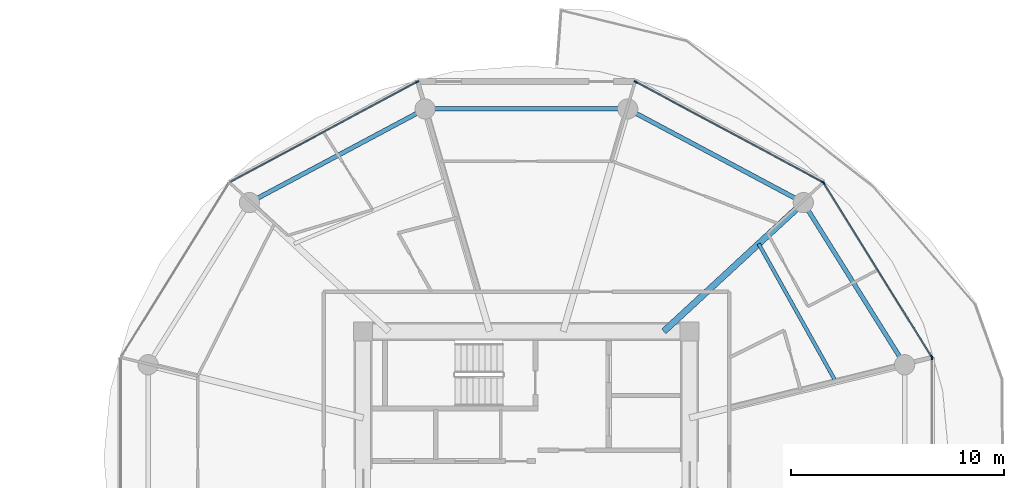
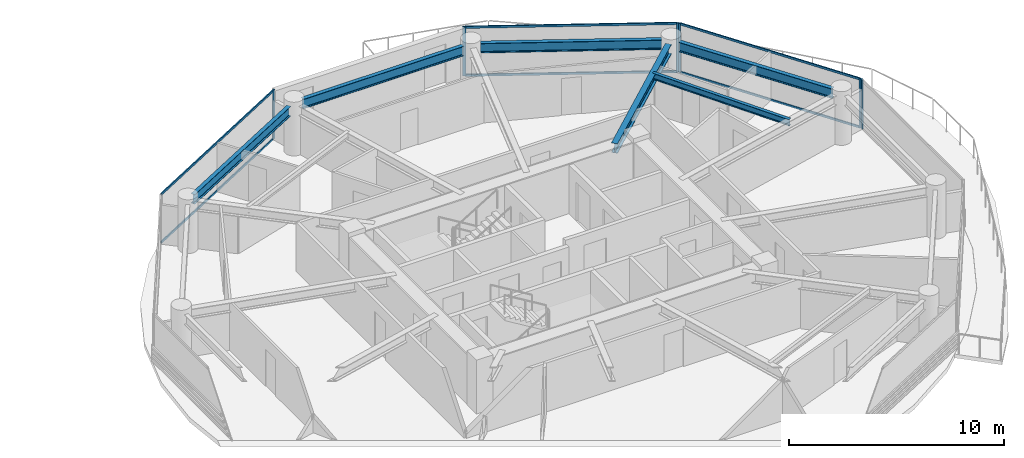
# One storey, part 14 of 28: 12 members, 6 beams, 4 elements without a shape of their own.
"""IFC4 building model written with IfcOpenShell, lengths in metres."""

from ifc_helpers import new_model, si_unit, direction, frame, origin, origin_2d, place, context, subcontext, project, spatial, rectangle, i_section, extrude, source, transform, mapped, material, layer, layer_set, material_profile, profile_set, type_object, type_shapes, element, aggregate, save


model = new_model("IFC4")

# Units and contexts
model_context = context("Model", 3, precision=1e-05, world=origin(), true_north=direction((0.0, 1.0)))
body_context = subcontext(model_context, "Body", "Model", "MODEL_VIEW")
ifc_project = project(units=[si_unit("LENGTHUNIT", "METRE"), si_unit("AREAUNIT", "SQUARE_METRE"), si_unit("VOLUMEUNIT", "CUBIC_METRE"), si_unit("PLANEANGLEUNIT", "RADIAN"), si_unit("MASSUNIT", "GRAM", prefix="KILO")], contexts=[model_context])

# Site, building, storey
site_placement = place(None, origin())
site = spatial("IfcSite", under=ifc_project, at=site_placement, CompositionType="ELEMENT")
building_placement = place(site_placement, origin())
building = spatial("IfcBuilding", under=site, at=building_placement, Name="Norrkilde Senior Care Towers", CompositionType="ELEMENT")
storey_placement = place(building_placement, frame((0.0, 0.0, 39.89990234375)))
storey = spatial("IfcBuildingStorey", under=building, at=storey_placement, Name="L11", CompositionType="ELEMENT", Elevation=39.89990234375)

# Beams
ifc_material_1 = material(Name="Steel S355", Category="steel")
ifc_material_profile_1 = material_profile(ifc_material_1, i_section(OverallWidth=0.2099609375, OverallDepth=0.550048828125, WebThickness=0.010986328125, FlangeThickness=0.01708984375, FilletRadius=0.02392578125, at=origin_2d()), Name="IPE 550")
ifc_profile_set_1 = profile_set([ifc_material_profile_1], Name="Steel S355")
beam_type_1 = type_object("IfcBeamType", Name="Perimeter Ring Spandrel Z1 IPE550", PredefinedType="SPANDREL", material=ifc_profile_set_1)
shared_shape_1 = source(origin(), body_context, "Body", "SweptSolid", [
    extrude(i_section(OverallWidth=0.2099609375, OverallDepth=0.550048828125, WebThickness=0.010986328125, FlangeThickness=0.01708984375, FilletRadius=0.02392578125, at=origin_2d()), origin(), (0.0, 0.0, 1.0), 8.090576171875),
])
beam_1_placement = place(storey_placement, frame((45.494140625, 4.755859375, 2.51513671875), z_axis=(-0.530004364821, 0.84799491347, 0.0), x_axis=(-0.84799491347, -0.530004364821, 0.0)))
element("IfcBeam", 1, at=beam_1_placement, inside=storey, type_object=beam_type_1, Name="L11 Drum E Perimeter Spandrel 01", PredefinedType="SPANDREL", context=body_context, shape_type="MappedRepresentation", body=[
    mapped(shared_shape_1, transform((0.0, 0.0, 0.0), x_axis=(1.0, 0.0, 0.0), y_axis=(0.0, 1.0, 0.0), z_axis=(0.0, 0.0, 1.0), scale=1.0)),
])
shared_shape_2 = source(origin(), body_context, "Body", "SweptSolid", [
    extrude(i_section(OverallWidth=0.2099609375, OverallDepth=0.550048828125, WebThickness=0.010986328125, FlangeThickness=0.01708984375, FilletRadius=0.02392578125, at=origin_2d()), origin(), (0.0, 0.0, 1.0), 8.452880859375),
])
for number, where, z_axis, x_axis, name in (
    (2, (40.591552734375, 12.190185546875, 2.51513671875), (-0.882368931134, 0.470558252898, 0.0), (-0.470558252898, -0.882368931134, 0.0), "L11 Drum E Perimeter Spandrel 02"),
    (3, (22.866943359375, 16.167724609375, 2.51513671875), (-0.882368931134, -0.470558252898, 0.0), (0.470558252898, -0.882368931134, 0.0), "L11 Drum E Perimeter Spandrel 04"),
):
    element("IfcBeam", number, at=place(storey_placement, frame(where, z_axis=z_axis, x_axis=x_axis)), inside=storey, type_object=beam_type_1, Name=name, PredefinedType="SPANDREL", context=body_context, shape_type="MappedRepresentation", body=[
        mapped(shared_shape_2, transform((0.0, 0.0, 0.0), x_axis=(1.0, 0.0, 0.0), y_axis=(0.0, 1.0, 0.0), z_axis=(0.0, 0.0, 1.0), scale=1.0)),
    ])
ifc_material_profile_2 = material_profile(ifc_material_1, i_section(OverallWidth=0.300048828125, OverallDepth=0.550048828125, WebThickness=0.014892578125, FlangeThickness=0.029052734375, FilletRadius=0.027099609375, at=origin_2d()), Name="HEB 550")
ifc_profile_set_2 = profile_set([ifc_material_profile_2], Name="Steel S355")
beam_type_2 = type_object("IfcBeamType", Name="Radial Floor Beam Z1 HEB550", PredefinedType="BEAM", material=ifc_profile_set_2)
shared_shape_3 = source(origin(), body_context, "Body", "SweptSolid", [
    extrude(i_section(OverallWidth=0.300048828125, OverallDepth=0.550048828125, WebThickness=0.014892578125, FlangeThickness=0.029052734375, FilletRadius=0.027099609375, at=origin_2d()), origin(), (0.0, 0.0, 1.0), 8.459716796875),
])
type_shapes(beam_type_2, [shared_shape_3])
beam_2_placement = place(storey_placement, frame((34.44140625, 5.949951171875, 2.51513671875), z_axis=(0.734573269108, 0.678529374686, 0.0), x_axis=(-0.678529374686, 0.734573269108, 0.0)))
element("IfcBeam", 4, at=beam_2_placement, inside=storey, type_object=beam_type_2, Name="L11 Drum E Radial Floor Beam 02", PredefinedType="BEAM", context=body_context, shape_type="MappedRepresentation", body=[
    mapped(shared_shape_3, transform((0.0, 0.0, 0.0), x_axis=(1.0, 0.0, 0.0), y_axis=(0.0, 1.0, 0.0), z_axis=(0.0, 0.0, 1.0), scale=1.0)),
])
shared_shape_4 = source(origin(), body_context, "Body", "SweptSolid", [
    extrude(i_section(OverallWidth=0.2099609375, OverallDepth=0.550048828125, WebThickness=0.010986328125, FlangeThickness=0.01708984375, FilletRadius=0.02392578125, at=origin_2d()), origin(), (0.0, 0.0, 1.0), 8.62841796875),
])
type_shapes(beam_type_1, [shared_shape_1, shared_shape_2, shared_shape_4])
beam_3_placement = place(storey_placement, frame((32.314208984375, 16.37255859375, 2.51513671875), z_axis=(-1.0, 0.0, 0.0), x_axis=(0.0, -1.0, 0.0)))
element("IfcBeam", 5, at=beam_3_placement, inside=storey, type_object=beam_type_1, Name="L11 Drum E Perimeter Spandrel 03", PredefinedType="SPANDREL", context=body_context, shape_type="MappedRepresentation", body=[
    mapped(shared_shape_4, transform((0.0, 0.0, 0.0), x_axis=(1.0, 0.0, 0.0), y_axis=(0.0, 1.0, 0.0), z_axis=(0.0, 0.0, 1.0), scale=1.0)),
])
ifc_material_profile_3 = material_profile(ifc_material_1, i_section(OverallWidth=0.169921875, OverallDepth=0.360107421875, WebThickness=0.008056640625, FlangeThickness=0.0126953125, FilletRadius=0.01806640625, at=origin_2d()), Name="IPE 360")
ifc_profile_set_3 = profile_set([ifc_material_profile_3], Name="Steel S355")
beam_type_3 = type_object("IfcBeamType", Name="Secondary Floor Joist IPE360", PredefinedType="JOIST", material=ifc_profile_set_3)
shared_shape_5 = source(origin(), body_context, "Body", "SweptSolid", [
    extrude(i_section(OverallWidth=0.169921875, OverallDepth=0.360107421875, WebThickness=0.008056640625, FlangeThickness=0.0126953125, FilletRadius=0.01806640625, at=origin_2d()), origin(), (0.0, 0.0, 1.0), 7.40771484375),
])
type_shapes(beam_type_3, [shared_shape_5])
beam_4_placement = place(storey_placement, frame((42.500732421875, 3.589111328125, 2.610107421875), z_axis=(-0.488167754092, 0.872749817453, 0.0), x_axis=(-0.872749817453, -0.488167754092, 0.0)))
element("IfcBeam", 6, at=beam_4_placement, inside=storey, type_object=beam_type_3, Name="L11 Drum E Secondary Floor Joist 1", PredefinedType="JOIST", context=body_context, shape_type="MappedRepresentation", body=[
    mapped(shared_shape_5, transform((0.0, 0.0, 0.0), x_axis=(1.0, 0.0, 0.0), y_axis=(0.0, 1.0, 0.0), z_axis=(0.0, 0.0, 1.0), scale=1.0)),
])

# Curtain wall, members
ifc_material_2 = material(Name="Triple Low-E Insulated Glazing", Category="glass")
ifc_layer = layer(ifc_material_2, 0.199951171875)
ifc_layer_set = layer_set([ifc_layer], Name="Triple Low-E Insulated Glazing")
curtain_wall_type = type_object("IfcCurtainWallType", Name="CW2 Zone 1 Memory Care Curtain Wall", PredefinedType="NOTDEFINED", material=ifc_layer_set)
curtain_wall_1_placement = place(storey_placement, origin())
curtain_wall_1 = element("IfcCurtainWall", 7, at=curtain_wall_1_placement, inside=storey, type_object=curtain_wall_type, Name="L11 Drum E Curtain Wall 00", PredefinedType="NOTDEFINED")
ifc_material_3 = material(Name="Anodised Aluminium", Category="aluminium")
ifc_material_profile_4 = material_profile(ifc_material_3, rectangle(XDim=0.06494140625, YDim=0.159912109375, at=origin_2d()), Name="ALU MULL 65x160")
ifc_profile_set_4 = profile_set([ifc_material_profile_4], Name="Anodised Aluminium")
member_type_1 = type_object("IfcMemberType", Name="Curtain Wall Mullion Z1-Z2 65x160", PredefinedType="MULLION", material=ifc_profile_set_4)
shared_shape_6 = source(origin(), body_context, "Body", "SweptSolid", [
    extrude(rectangle(XDim=0.06494140625, YDim=0.159912109375, at=origin_2d()), origin(), (0.0, 0.0, 1.0), 2.7900390625),
])
type_shapes(member_type_1, [shared_shape_6])
member_1_placement = place(storey_placement, frame((41.93310546875, 12.898193359375, 0.0), z_axis=(0.0, 0.0, 1.0), x_axis=(0.849305943117, 0.527900951871, 0.0)))
member_1 = element("IfcMember", 8, at=member_1_placement, type_object=member_type_1, Name="CW-2 mullion 1", PredefinedType="MULLION", context=body_context, shape_type="MappedRepresentation", body=[
    mapped(shared_shape_6, transform((0.0, 0.0, 0.0), x_axis=(1.0, 0.0, 0.0), y_axis=(0.0, 1.0, 0.0), z_axis=(0.0, 0.0, 1.0), scale=1.0)),
])
member_2_placement = place(storey_placement, frame((46.9921875, 4.7587890625, 0.0), z_axis=(0.0, 0.0, 1.0), x_axis=(0.849305943117, 0.527900951871, 0.0)))
member_2 = element("IfcMember", 9, at=member_2_placement, type_object=member_type_1, Name="CW-2 mullion 2", PredefinedType="MULLION", context=body_context, shape_type="MappedRepresentation", body=[
    mapped(shared_shape_6, transform((0.0, 0.0, 0.0), x_axis=(1.0, 0.0, 0.0), y_axis=(0.0, 1.0, 0.0), z_axis=(0.0, 0.0, 1.0), scale=1.0)),
])

curtain_wall_2_placement = place(storey_placement, origin())
curtain_wall_2 = element("IfcCurtainWall", 10, at=curtain_wall_2_placement, inside=storey, type_object=curtain_wall_type, Name="L11 Drum E Curtain Wall 01", PredefinedType="NOTDEFINED")
member_3_placement = place(storey_placement, frame((33.122314453125, 17.641845703125, 0.0), z_axis=(0.0, 0.0, 1.0), x_axis=(0.472607802456, 0.881272866403, 0.0)))
member_3 = element("IfcMember", 11, at=member_3_placement, type_object=member_type_1, Name="CW-2 mullion 1", PredefinedType="MULLION", context=body_context, shape_type="MappedRepresentation", body=[
    mapped(shared_shape_6, transform((0.0, 0.0, 0.0), x_axis=(1.0, 0.0, 0.0), y_axis=(0.0, 1.0, 0.0), z_axis=(0.0, 0.0, 1.0), scale=1.0)),
])
member_4_placement = place(storey_placement, frame((41.88720703125, 12.941162109375, 0.0), z_axis=(0.0, 0.0, 1.0), x_axis=(0.472607802456, 0.881272866403, 0.0)))
member_4 = element("IfcMember", 12, at=member_4_placement, type_object=member_type_1, Name="CW-2 mullion 2", PredefinedType="MULLION", context=body_context, shape_type="MappedRepresentation", body=[
    mapped(shared_shape_6, transform((0.0, 0.0, 0.0), x_axis=(1.0, 0.0, 0.0), y_axis=(0.0, 1.0, 0.0), z_axis=(0.0, 0.0, 1.0), scale=1.0)),
])

# Curtain wall, member
curtain_wall_3_placement = place(storey_placement, origin())
curtain_wall_3 = element("IfcCurtainWall", 13, at=curtain_wall_3_placement, inside=storey, type_object=curtain_wall_type, Name="L11 Drum E Curtain Wall 03", PredefinedType="NOTDEFINED")
member_5_placement = place(storey_placement, frame((22.877685546875, 17.641845703125, 0.0), z_axis=(0.0, 0.0, 1.0), x_axis=(-0.472607802456, 0.881272866403, 0.0)))
member_5 = element("IfcMember", 14, at=member_5_placement, type_object=member_type_1, Name="CW-2 mullion 2", PredefinedType="MULLION", context=body_context, shape_type="MappedRepresentation", body=[
    mapped(shared_shape_6, transform((0.0, 0.0, 0.0), x_axis=(1.0, 0.0, 0.0), y_axis=(0.0, 1.0, 0.0), z_axis=(0.0, 0.0, 1.0), scale=1.0)),
])

curtain_wall_4_placement = place(storey_placement, origin())
curtain_wall_4 = element("IfcCurtainWall", 15, at=curtain_wall_4_placement, inside=storey, type_object=curtain_wall_type, Name="L11 Drum E Curtain Wall 11", PredefinedType="NOTDEFINED")
member_6_placement = place(storey_placement, frame((47.009521484375, 4.69873046875, 0.0), z_axis=(0.0, 0.0, 1.0), x_axis=(1.0, 0.0, 0.0)))
member_6 = element("IfcMember", 16, at=member_6_placement, type_object=member_type_1, Name="CW-2 mullion 1", PredefinedType="MULLION", context=body_context, shape_type="MappedRepresentation", body=[
    mapped(shared_shape_6, transform((0.0, 0.0, 0.0), x_axis=(1.0, 0.0, 0.0), y_axis=(0.0, 1.0, 0.0), z_axis=(0.0, 0.0, 1.0), scale=1.0)),
])
aggregate(curtain_wall_4, [member_6])

# Member
ifc_material_profile_5 = material_profile(ifc_material_3, rectangle(XDim=0.06005859375, YDim=0.1201171875, at=origin_2d()), Name="ALU TRAN 60x120")
ifc_profile_set_5 = profile_set([ifc_material_profile_5], Name="Anodised Aluminium")
member_type_2 = type_object("IfcMemberType", Name="Curtain Wall Transom Typical 60x120", PredefinedType="USERDEFINED", material=ifc_profile_set_5)
shared_shape_7 = source(origin(), body_context, "Body", "SweptSolid", [
    extrude(rectangle(XDim=0.06005859375, YDim=0.1201171875, at=origin_2d()), origin(), (0.0, 0.0, 1.0), 9.5185546875),
])
member_7_placement = place(storey_placement, frame((41.9501953125, 12.87060546875, 0.030029296875), z_axis=(0.527901620669, -0.849305527413, 0.0), x_axis=(0.849305527413, 0.527901620669, 0.0)))
member_7 = element("IfcMember", 17, at=member_7_placement, type_object=member_type_2, Name="CW-2 transom 1.1", ObjectType="TRANSOM", PredefinedType="USERDEFINED", context=body_context, shape_type="MappedRepresentation", body=[
    mapped(shared_shape_7, transform((0.0, 0.0, 0.0), x_axis=(1.0, 0.0, 0.0), y_axis=(0.0, 1.0, 0.0), z_axis=(0.0, 0.0, 1.0), scale=1.0)),
])

member_8_placement = place(storey_placement, frame((41.9501953125, 12.87060546875, 2.760009765625), z_axis=(0.527901620669, -0.849305527413, 0.0), x_axis=(0.849305527413, 0.527901620669, 0.0)))
member_8 = element("IfcMember", 18, at=member_8_placement, type_object=member_type_2, Name="CW-2 transom 1.2", ObjectType="TRANSOM", PredefinedType="USERDEFINED", context=body_context, shape_type="MappedRepresentation", body=[
    mapped(shared_shape_7, transform((0.0, 0.0, 0.0), x_axis=(1.0, 0.0, 0.0), y_axis=(0.0, 1.0, 0.0), z_axis=(0.0, 0.0, 1.0), scale=1.0)),
])

aggregate(curtain_wall_1, [member_1, member_2, member_7, member_8])

shared_shape_8 = source(origin(), body_context, "Body", "SweptSolid", [
    extrude(rectangle(XDim=0.06005859375, YDim=0.1201171875, at=origin_2d()), origin(), (0.0, 0.0, 1.0), 9.880859375),
])
type_shapes(member_type_2, [shared_shape_7, shared_shape_8])
member_9_placement = place(storey_placement, frame((33.15087890625, 17.62646484375, 0.030029296875), z_axis=(0.881267204043, -0.47261836092, 0.0), x_axis=(0.47261836092, 0.881267204043, 0.0)))
member_9 = element("IfcMember", 19, at=member_9_placement, type_object=member_type_2, Name="CW-2 transom 1.1", ObjectType="TRANSOM", PredefinedType="USERDEFINED", context=body_context, shape_type="MappedRepresentation", body=[
    mapped(shared_shape_8, transform((0.0, 0.0, 0.0), x_axis=(1.0, 0.0, 0.0), y_axis=(0.0, 1.0, 0.0), z_axis=(0.0, 0.0, 1.0), scale=1.0)),
])

member_10_placement = place(storey_placement, frame((33.15087890625, 17.62646484375, 2.760009765625), z_axis=(0.881267204043, -0.47261836092, 0.0), x_axis=(0.47261836092, 0.881267204043, 0.0)))
member_10 = element("IfcMember", 20, at=member_10_placement, type_object=member_type_2, Name="CW-2 transom 1.2", ObjectType="TRANSOM", PredefinedType="USERDEFINED", context=body_context, shape_type="MappedRepresentation", body=[
    mapped(shared_shape_8, transform((0.0, 0.0, 0.0), x_axis=(1.0, 0.0, 0.0), y_axis=(0.0, 1.0, 0.0), z_axis=(0.0, 0.0, 1.0), scale=1.0)),
])

aggregate(curtain_wall_2, [member_3, member_4, member_9, member_10])

member_11_placement = place(storey_placement, frame((14.141357421875, 12.95654296875, 0.030029296875), z_axis=(0.881267204043, 0.47261836092, 0.0), x_axis=(-0.47261836092, 0.881267204043, 0.0)))
member_11 = element("IfcMember", 21, at=member_11_placement, type_object=member_type_2, Name="CW-2 transom 1.1", ObjectType="TRANSOM", PredefinedType="USERDEFINED", context=body_context, shape_type="MappedRepresentation", body=[
    mapped(shared_shape_8, transform((0.0, 0.0, 0.0), x_axis=(1.0, 0.0, 0.0), y_axis=(0.0, 1.0, 0.0), z_axis=(0.0, 0.0, 1.0), scale=1.0)),
])

member_12_placement = place(storey_placement, frame((14.141357421875, 12.95654296875, 2.760009765625), z_axis=(0.881267204043, 0.47261836092, 0.0), x_axis=(-0.47261836092, 0.881267204043, 0.0)))
member_12 = element("IfcMember", 22, at=member_12_placement, type_object=member_type_2, Name="CW-2 transom 1.2", ObjectType="TRANSOM", PredefinedType="USERDEFINED", context=body_context, shape_type="MappedRepresentation", body=[
    mapped(shared_shape_8, transform((0.0, 0.0, 0.0), x_axis=(1.0, 0.0, 0.0), y_axis=(0.0, 1.0, 0.0), z_axis=(0.0, 0.0, 1.0), scale=1.0)),
])

aggregate(curtain_wall_3, [member_5, member_11, member_12])

save(model, "model.ifc")
